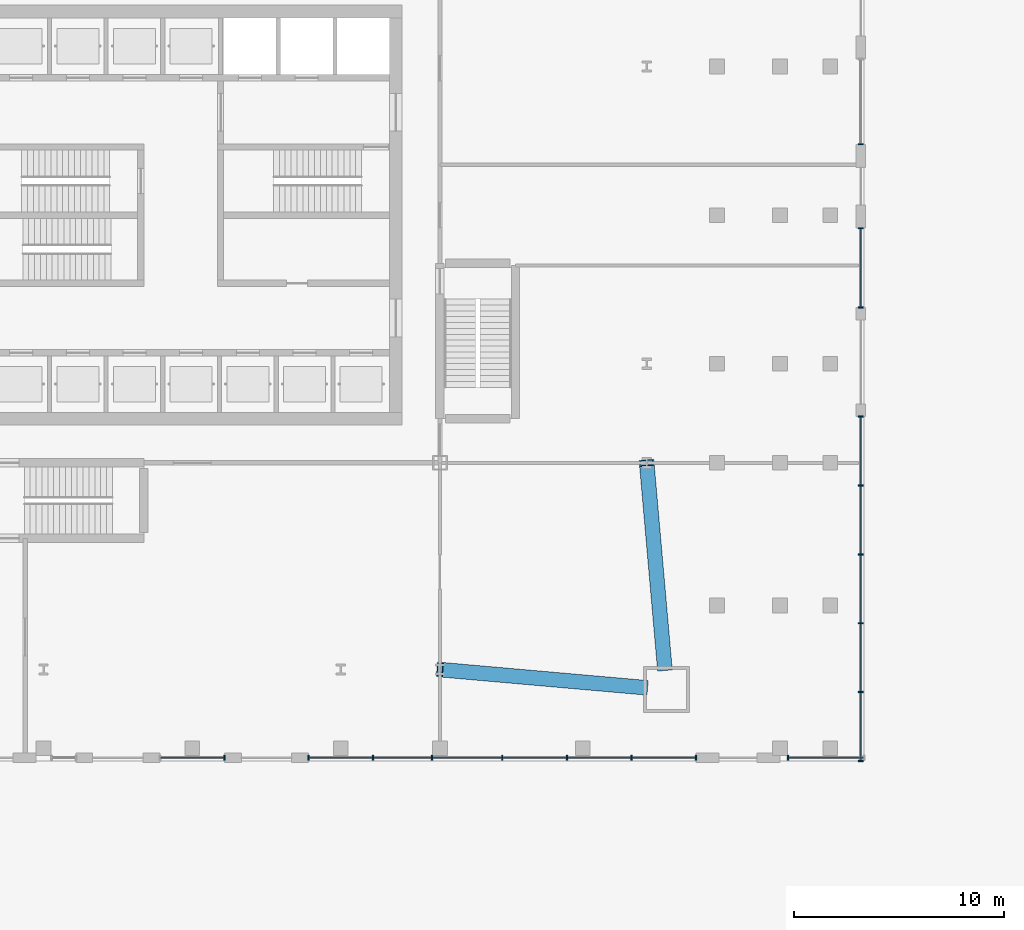
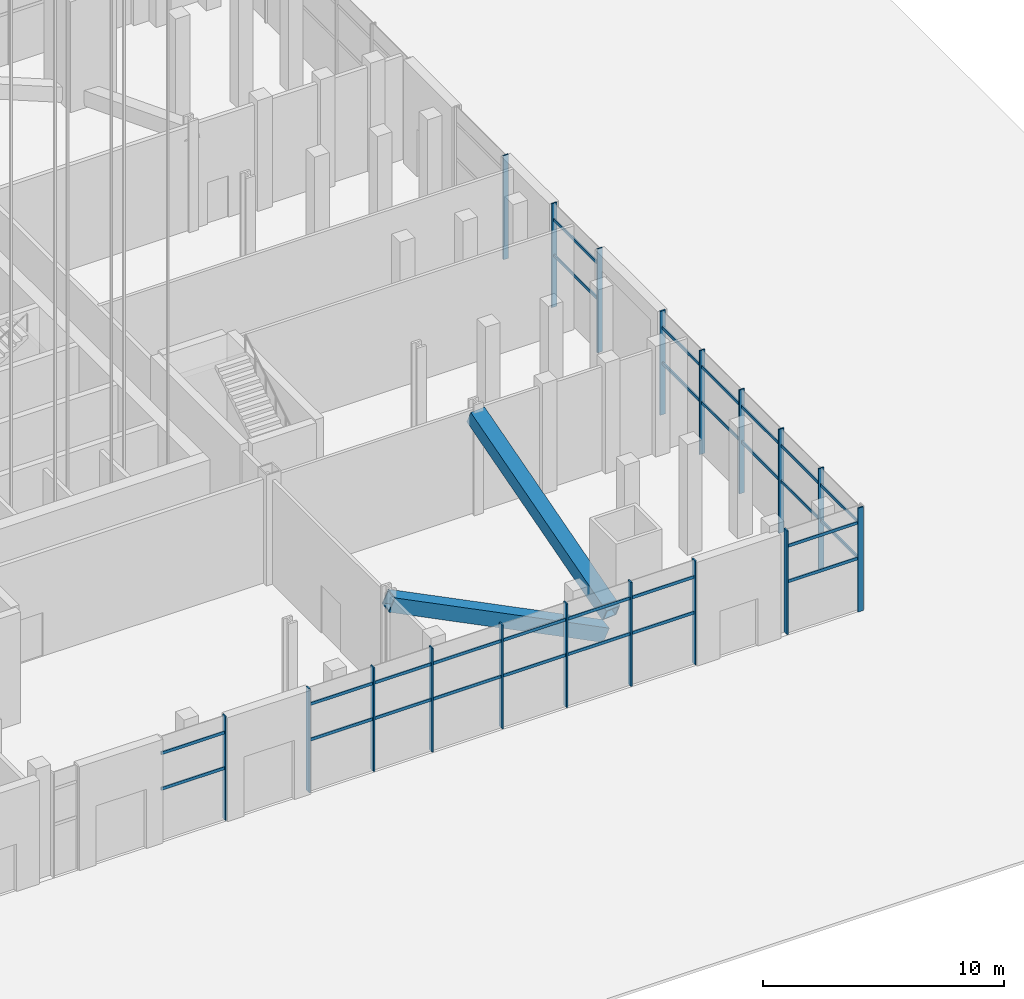
# One storey, part 3 of 27: 48 members, 6 elements without a shape of their own.
"""IFC4 building model written with IfcOpenShell, lengths in metres."""

from ifc_helpers import new_model, si_unit, direction, frame, origin, origin_2d, place, context, subcontext, project, spatial, rectangle, hollow_rectangle, extrude, material, material_profile, profile_set, type_object, element, aggregate, save


model = new_model("IFC4")

# Units and contexts
model_context = context("Model", 3, precision=1e-05, world=origin(), true_north=direction((0.0, 1.0)))
body_context = subcontext(model_context, "Body", "Model", "MODEL_VIEW")
ifc_project = project(units=[si_unit("LENGTHUNIT", "METRE"), si_unit("AREAUNIT", "SQUARE_METRE"), si_unit("VOLUMEUNIT", "CUBIC_METRE"), si_unit("PLANEANGLEUNIT", "RADIAN"), si_unit("MASSUNIT", "GRAM", prefix="KILO")], contexts=[model_context])

# Site, building, storey
site_placement = place(None, origin())
site = spatial("IfcSite", under=ifc_project, at=site_placement, CompositionType="ELEMENT")
building_placement = place(site_placement, origin())
building = spatial("IfcBuilding", under=site, at=building_placement, Name="Turquesa Mirador Hotel Tower", CompositionType="ELEMENT")
storey_placement = place(building_placement, origin())
storey = spatial("IfcBuildingStorey", under=building, at=storey_placement, Name="L00", CompositionType="ELEMENT", Elevation=0.0)

# Curtain wall, member
ifc_material_1 = material(Name="Aluminium extrusion", Category="aluminium")
curtain_wall_type = type_object("IfcCurtainWallType", Name="CW-1 LOBBY CURTAIN WALL", PredefinedType="USERDEFINED", material=ifc_material_1)
curtain_wall_1_placement = place(storey_placement, origin())
curtain_wall_1 = element("IfcCurtainWall", 1, at=curtain_wall_1_placement, inside=storey, type_object=curtain_wall_type, Name="CW-1 LOBBY CURTAIN WALL L00", ObjectType="CURTAIN WALL", PredefinedType="USERDEFINED")
ifc_material_2 = material(Name="Aluminium extrusion", Category="aluminium")
ifc_material_profile_1 = material_profile(ifc_material_2, rectangle(XDim=0.06494140625, YDim=0.25, at=origin_2d()), Name="MULLION 65X250")
ifc_profile_set_1 = profile_set([ifc_material_profile_1], Name="Aluminium extrusion")
member_type_1 = type_object("IfcMemberType", Name="CW MULLION 65X250", PredefinedType="MULLION", material=ifc_profile_set_1)
member_1_placement = place(storey_placement, frame((56.5400390625, 19.14990234375, 0.0), z_axis=(0.0, 0.0, 1.0), x_axis=(1.0, 0.0, 0.0)))
member_1 = element("IfcMember", 2, at=member_1_placement, type_object=member_type_1, Name="Mullion", PredefinedType="MULLION", context=body_context, shape_type="SweptSolid", body=[
    extrude(rectangle(XDim=0.06494140625, YDim=0.25, at=origin_2d()), origin(), (0.0, 0.0, 1.0), 5.25),
])

# Curtain wall, members
curtain_wall_2_placement = place(storey_placement, origin())
curtain_wall_2 = element("IfcCurtainWall", 3, at=curtain_wall_2_placement, inside=storey, type_object=curtain_wall_type, Name="CW-1 LOBBY CURTAIN WALL L00", ObjectType="CURTAIN WALL", PredefinedType="USERDEFINED")
member_2_placement = place(storey_placement, frame((60.5400390625, 19.14990234375, 0.0), z_axis=(0.0, 0.0, 1.0), x_axis=(1.0, 0.0, 0.0)))
member_2 = element("IfcMember", 4, at=member_2_placement, type_object=member_type_1, Name="Mullion", PredefinedType="MULLION", context=body_context, shape_type="SweptSolid", body=[
    extrude(rectangle(XDim=0.06494140625, YDim=0.25, at=origin_2d()), origin(), (0.0, 0.0, 1.0), 5.25),
])
member_3_placement = place(storey_placement, frame((63.61669921875, 19.14990234375, 0.0), z_axis=(0.0, 0.0, 1.0), x_axis=(1.0, 0.0, 0.0)))
member_3 = element("IfcMember", 5, at=member_3_placement, type_object=member_type_1, Name="Mullion", PredefinedType="MULLION", context=body_context, shape_type="SweptSolid", body=[
    extrude(rectangle(XDim=0.06494140625, YDim=0.25, at=origin_2d()), origin(), (0.0, 0.0, 1.0), 5.25),
])
member_4_placement = place(storey_placement, frame((66.41552734375, 19.14990234375, 0.0), z_axis=(0.0, 0.0, 1.0), x_axis=(1.0, 0.0, 0.0)))
member_4 = element("IfcMember", 6, at=member_4_placement, type_object=member_type_1, Name="Mullion", PredefinedType="MULLION", context=body_context, shape_type="SweptSolid", body=[
    extrude(rectangle(XDim=0.06494140625, YDim=0.25, at=origin_2d()), origin(), (0.0, 0.0, 1.0), 5.25),
])
member_5_placement = place(storey_placement, frame((69.77001953125, 19.14990234375, 0.0), z_axis=(0.0, 0.0, 1.0), x_axis=(1.0, 0.0, 0.0)))
member_5 = element("IfcMember", 7, at=member_5_placement, type_object=member_type_1, Name="Mullion", PredefinedType="MULLION", context=body_context, shape_type="SweptSolid", body=[
    extrude(rectangle(XDim=0.06494140625, YDim=0.25, at=origin_2d()), origin(), (0.0, 0.0, 1.0), 5.25),
])
member_6_placement = place(storey_placement, frame((72.8466796875, 19.14990234375, 0.0), z_axis=(0.0, 0.0, 1.0), x_axis=(1.0, 0.0, 0.0)))
member_6 = element("IfcMember", 8, at=member_6_placement, type_object=member_type_1, Name="Mullion", PredefinedType="MULLION", context=body_context, shape_type="SweptSolid", body=[
    extrude(rectangle(XDim=0.06494140625, YDim=0.25, at=origin_2d()), origin(), (0.0, 0.0, 1.0), 5.25),
])
member_7_placement = place(storey_placement, frame((75.92333984375, 19.14990234375, 0.0), z_axis=(0.0, 0.0, 1.0), x_axis=(1.0, 0.0, 0.0)))
member_7 = element("IfcMember", 9, at=member_7_placement, type_object=member_type_1, Name="Mullion", PredefinedType="MULLION", context=body_context, shape_type="SweptSolid", body=[
    extrude(rectangle(XDim=0.06494140625, YDim=0.25, at=origin_2d()), origin(), (0.0, 0.0, 1.0), 5.25),
])
member_8_placement = place(storey_placement, frame((79.0, 19.14990234375, 0.0), z_axis=(0.0, 0.0, 1.0), x_axis=(1.0, 0.0, 0.0)))
member_8 = element("IfcMember", 10, at=member_8_placement, type_object=member_type_1, Name="Mullion", PredefinedType="MULLION", context=body_context, shape_type="SweptSolid", body=[
    extrude(rectangle(XDim=0.06494140625, YDim=0.25, at=origin_2d()), origin(), (0.0, 0.0, 1.0), 5.25),
])

# Curtain wall, member
curtain_wall_3_placement = place(storey_placement, origin())
curtain_wall_3 = element("IfcCurtainWall", 11, at=curtain_wall_3_placement, inside=storey, type_object=curtain_wall_type, Name="CW-1 LOBBY CURTAIN WALL L00", ObjectType="CURTAIN WALL", PredefinedType="USERDEFINED")
member_9_placement = place(storey_placement, frame((83.384521484375, 19.14990234375, 0.0), z_axis=(0.0, 0.0, 1.0), x_axis=(1.0, 0.0, 0.0)))
member_9 = element("IfcMember", 12, at=member_9_placement, type_object=member_type_1, Name="Mullion", PredefinedType="MULLION", context=body_context, shape_type="SweptSolid", body=[
    extrude(rectangle(XDim=0.06494140625, YDim=0.25, at=origin_2d()), origin(), (0.0, 0.0, 1.0), 5.25),
])

# Curtain wall, members
curtain_wall_4_placement = place(storey_placement, origin())
curtain_wall_4 = element("IfcCurtainWall", 13, at=curtain_wall_4_placement, inside=storey, type_object=curtain_wall_type, Name="CW-1 LOBBY CURTAIN WALL L00", ObjectType="CURTAIN WALL", PredefinedType="USERDEFINED")
member_10_placement = place(storey_placement, frame((86.85009765625, 19.0, 0.0), z_axis=(0.0, 0.0, 1.0), x_axis=(0.0, 1.0, 0.0)))
member_10 = element("IfcMember", 14, at=member_10_placement, type_object=member_type_1, Name="Mullion", PredefinedType="MULLION", context=body_context, shape_type="SweptSolid", body=[
    extrude(rectangle(XDim=0.06494140625, YDim=0.25, at=origin_2d()), origin(), (0.0, 0.0, 1.0), 5.25),
])
member_11_placement = place(storey_placement, frame((86.85009765625, 22.280029296875, 0.0), z_axis=(0.0, 0.0, 1.0), x_axis=(0.0, 1.0, 0.0)))
member_11 = element("IfcMember", 15, at=member_11_placement, type_object=member_type_1, Name="Mullion", PredefinedType="MULLION", context=body_context, shape_type="SweptSolid", body=[
    extrude(rectangle(XDim=0.06494140625, YDim=0.25, at=origin_2d()), origin(), (0.0, 0.0, 1.0), 5.25),
])
member_12_placement = place(storey_placement, frame((86.85009765625, 25.56005859375, 0.0), z_axis=(0.0, 0.0, 1.0), x_axis=(0.0, 1.0, 0.0)))
member_12 = element("IfcMember", 16, at=member_12_placement, type_object=member_type_1, Name="Mullion", PredefinedType="MULLION", context=body_context, shape_type="SweptSolid", body=[
    extrude(rectangle(XDim=0.06494140625, YDim=0.25, at=origin_2d()), origin(), (0.0, 0.0, 1.0), 5.25),
])
member_13_placement = place(storey_placement, frame((86.85009765625, 28.840087890625, 0.0), z_axis=(0.0, 0.0, 1.0), x_axis=(0.0, 1.0, 0.0)))
member_13 = element("IfcMember", 17, at=member_13_placement, type_object=member_type_1, Name="Mullion", PredefinedType="MULLION", context=body_context, shape_type="SweptSolid", body=[
    extrude(rectangle(XDim=0.06494140625, YDim=0.25, at=origin_2d()), origin(), (0.0, 0.0, 1.0), 5.25),
])
member_14_placement = place(storey_placement, frame((86.85009765625, 32.1201171875, 0.0), z_axis=(0.0, 0.0, 1.0), x_axis=(0.0, 1.0, 0.0)))
member_14 = element("IfcMember", 18, at=member_14_placement, type_object=member_type_1, Name="Mullion", PredefinedType="MULLION", context=body_context, shape_type="SweptSolid", body=[
    extrude(rectangle(XDim=0.06494140625, YDim=0.25, at=origin_2d()), origin(), (0.0, 0.0, 1.0), 5.25),
])
member_15_placement = place(storey_placement, frame((86.85009765625, 35.39990234375, 0.0), z_axis=(0.0, 0.0, 1.0), x_axis=(0.0, 1.0, 0.0)))
member_15 = element("IfcMember", 19, at=member_15_placement, type_object=member_type_1, Name="Mullion", PredefinedType="MULLION", context=body_context, shape_type="SweptSolid", body=[
    extrude(rectangle(XDim=0.06494140625, YDim=0.25, at=origin_2d()), origin(), (0.0, 0.0, 1.0), 5.25),
])

curtain_wall_5_placement = place(storey_placement, origin())
curtain_wall_5 = element("IfcCurtainWall", 20, at=curtain_wall_5_placement, inside=storey, type_object=curtain_wall_type, Name="CW-1 LOBBY CURTAIN WALL L00", ObjectType="CURTAIN WALL", PredefinedType="USERDEFINED")
member_16_placement = place(storey_placement, frame((86.85009765625, 40.60009765625, 0.0), z_axis=(0.0, 0.0, 1.0), x_axis=(0.0, 1.0, 0.0)))
member_16 = element("IfcMember", 21, at=member_16_placement, type_object=member_type_1, Name="Mullion", PredefinedType="MULLION", context=body_context, shape_type="SweptSolid", body=[
    extrude(rectangle(XDim=0.06494140625, YDim=0.25, at=origin_2d()), origin(), (0.0, 0.0, 1.0), 5.25),
])
member_17_placement = place(storey_placement, frame((86.85009765625, 44.375, 0.0), z_axis=(0.0, 0.0, 1.0), x_axis=(0.0, 1.0, 0.0)))
member_17 = element("IfcMember", 22, at=member_17_placement, type_object=member_type_1, Name="Mullion", PredefinedType="MULLION", context=body_context, shape_type="SweptSolid", body=[
    extrude(rectangle(XDim=0.06494140625, YDim=0.25, at=origin_2d()), origin(), (0.0, 0.0, 1.0), 5.25),
])

# Curtain wall, member
curtain_wall_6_placement = place(storey_placement, origin())
curtain_wall_6 = element("IfcCurtainWall", 23, at=curtain_wall_6_placement, inside=storey, type_object=curtain_wall_type, Name="CW-1 LOBBY CURTAIN WALL L00", ObjectType="CURTAIN WALL", PredefinedType="USERDEFINED")
member_18_placement = place(storey_placement, frame((86.85009765625, 48.375, 0.0), z_axis=(0.0, 0.0, 1.0), x_axis=(0.0, 1.0, 0.0)))
member_18 = element("IfcMember", 24, at=member_18_placement, type_object=member_type_1, Name="Mullion", PredefinedType="MULLION", context=body_context, shape_type="SweptSolid", body=[
    extrude(rectangle(XDim=0.06494140625, YDim=0.25, at=origin_2d()), origin(), (0.0, 0.0, 1.0), 5.25),
])
aggregate(curtain_wall_6, [member_18])

# Member
ifc_material_3 = material(Name="Aluminium extrusion", Category="aluminium")
ifc_material_profile_2 = material_profile(ifc_material_3, rectangle(XDim=0.06494140625, YDim=0.14990234375, at=origin_2d()), Name="TRANSOM 65X150")
ifc_profile_set_2 = profile_set([ifc_material_profile_2], Name="Aluminium extrusion")
member_type_2 = type_object("IfcMemberType", Name="CW TRANSOM 65X150", PredefinedType="USERDEFINED", material=ifc_profile_set_2)
member_19_placement = place(storey_placement, frame((53.492431640625, 19.14990234375, 2.60009765625), z_axis=(1.0, 0.0, 0.0), x_axis=(0.0, 1.0, 0.0)))
member_19 = element("IfcMember", 25, at=member_19_placement, type_object=member_type_2, Name="Transom", ObjectType="TRANSOM", PredefinedType="USERDEFINED", context=body_context, shape_type="SweptSolid", body=[
    extrude(rectangle(XDim=0.06494140625, YDim=0.14990234375, at=origin_2d()), origin(), (0.0, 0.0, 1.0), 3.01513671875),
])

member_20_placement = place(storey_placement, frame((53.492431640625, 19.14990234375, 4.39990234375), z_axis=(1.0, 0.0, 0.0), x_axis=(0.0, 1.0, 0.0)))
member_20 = element("IfcMember", 26, at=member_20_placement, type_object=member_type_2, Name="Transom", ObjectType="TRANSOM", PredefinedType="USERDEFINED", context=body_context, shape_type="SweptSolid", body=[
    extrude(rectangle(XDim=0.06494140625, YDim=0.14990234375, at=origin_2d()), origin(), (0.0, 0.0, 1.0), 3.01513671875),
])

aggregate(curtain_wall_1, [member_1, member_19, member_20])

member_21_placement = place(storey_placement, frame((60.572509765625, 19.14990234375, 2.60009765625), z_axis=(1.0, 0.0, 0.0), x_axis=(0.0, 1.0, 0.0)))
member_21 = element("IfcMember", 27, at=member_21_placement, type_object=member_type_2, Name="Transom", ObjectType="TRANSOM", PredefinedType="USERDEFINED", context=body_context, shape_type="SweptSolid", body=[
    extrude(rectangle(XDim=0.06494140625, YDim=0.14990234375, at=origin_2d()), origin(), (0.0, 0.0, 1.0), 3.01171875),
])

member_22_placement = place(storey_placement, frame((60.572509765625, 19.14990234375, 4.39990234375), z_axis=(1.0, 0.0, 0.0), x_axis=(0.0, 1.0, 0.0)))
member_22 = element("IfcMember", 28, at=member_22_placement, type_object=member_type_2, Name="Transom", ObjectType="TRANSOM", PredefinedType="USERDEFINED", context=body_context, shape_type="SweptSolid", body=[
    extrude(rectangle(XDim=0.06494140625, YDim=0.14990234375, at=origin_2d()), origin(), (0.0, 0.0, 1.0), 3.01171875),
])

member_23_placement = place(storey_placement, frame((63.649169921875, 19.14990234375, 2.60009765625), z_axis=(1.0, 0.0, 0.0), x_axis=(0.0, 1.0, 0.0)))
member_23 = element("IfcMember", 29, at=member_23_placement, type_object=member_type_2, Name="Transom", ObjectType="TRANSOM", PredefinedType="USERDEFINED", context=body_context, shape_type="SweptSolid", body=[
    extrude(rectangle(XDim=0.06494140625, YDim=0.14990234375, at=origin_2d()), origin(), (0.0, 0.0, 1.0), 2.73388671875),
])

member_24_placement = place(storey_placement, frame((63.649169921875, 19.14990234375, 4.39990234375), z_axis=(1.0, 0.0, 0.0), x_axis=(0.0, 1.0, 0.0)))
member_24 = element("IfcMember", 30, at=member_24_placement, type_object=member_type_2, Name="Transom", ObjectType="TRANSOM", PredefinedType="USERDEFINED", context=body_context, shape_type="SweptSolid", body=[
    extrude(rectangle(XDim=0.06494140625, YDim=0.14990234375, at=origin_2d()), origin(), (0.0, 0.0, 1.0), 2.73388671875),
])

member_25_placement = place(storey_placement, frame((66.447998046875, 19.14990234375, 2.60009765625), z_axis=(1.0, 0.0, 0.0), x_axis=(0.0, 1.0, 0.0)))
member_25 = element("IfcMember", 31, at=member_25_placement, type_object=member_type_2, Name="Transom", ObjectType="TRANSOM", PredefinedType="USERDEFINED", context=body_context, shape_type="SweptSolid", body=[
    extrude(rectangle(XDim=0.06494140625, YDim=0.14990234375, at=origin_2d()), origin(), (0.0, 0.0, 1.0), 3.28955078125),
])

member_26_placement = place(storey_placement, frame((66.447998046875, 19.14990234375, 4.39990234375), z_axis=(1.0, 0.0, 0.0), x_axis=(0.0, 1.0, 0.0)))
member_26 = element("IfcMember", 32, at=member_26_placement, type_object=member_type_2, Name="Transom", ObjectType="TRANSOM", PredefinedType="USERDEFINED", context=body_context, shape_type="SweptSolid", body=[
    extrude(rectangle(XDim=0.06494140625, YDim=0.14990234375, at=origin_2d()), origin(), (0.0, 0.0, 1.0), 3.28955078125),
])

member_27_placement = place(storey_placement, frame((69.802490234375, 19.14990234375, 2.60009765625), z_axis=(1.0, 0.0, 0.0), x_axis=(0.0, 1.0, 0.0)))
member_27 = element("IfcMember", 33, at=member_27_placement, type_object=member_type_2, Name="Transom", ObjectType="TRANSOM", PredefinedType="USERDEFINED", context=body_context, shape_type="SweptSolid", body=[
    extrude(rectangle(XDim=0.06494140625, YDim=0.14990234375, at=origin_2d()), origin(), (0.0, 0.0, 1.0), 3.01171875),
])

member_28_placement = place(storey_placement, frame((69.802490234375, 19.14990234375, 4.39990234375), z_axis=(1.0, 0.0, 0.0), x_axis=(0.0, 1.0, 0.0)))
member_28 = element("IfcMember", 34, at=member_28_placement, type_object=member_type_2, Name="Transom", ObjectType="TRANSOM", PredefinedType="USERDEFINED", context=body_context, shape_type="SweptSolid", body=[
    extrude(rectangle(XDim=0.06494140625, YDim=0.14990234375, at=origin_2d()), origin(), (0.0, 0.0, 1.0), 3.01171875),
])

member_29_placement = place(storey_placement, frame((72.879150390625, 19.14990234375, 2.60009765625), z_axis=(1.0, 0.0, 0.0), x_axis=(0.0, 1.0, 0.0)))
member_29 = element("IfcMember", 35, at=member_29_placement, type_object=member_type_2, Name="Transom", ObjectType="TRANSOM", PredefinedType="USERDEFINED", context=body_context, shape_type="SweptSolid", body=[
    extrude(rectangle(XDim=0.06494140625, YDim=0.14990234375, at=origin_2d()), origin(), (0.0, 0.0, 1.0), 3.01171875),
])

member_30_placement = place(storey_placement, frame((72.879150390625, 19.14990234375, 4.39990234375), z_axis=(1.0, 0.0, 0.0), x_axis=(0.0, 1.0, 0.0)))
member_30 = element("IfcMember", 36, at=member_30_placement, type_object=member_type_2, Name="Transom", ObjectType="TRANSOM", PredefinedType="USERDEFINED", context=body_context, shape_type="SweptSolid", body=[
    extrude(rectangle(XDim=0.06494140625, YDim=0.14990234375, at=origin_2d()), origin(), (0.0, 0.0, 1.0), 3.01171875),
])

member_31_placement = place(storey_placement, frame((75.955810546875, 19.14990234375, 2.60009765625), z_axis=(1.0, 0.0, 0.0), x_axis=(0.0, 1.0, 0.0)))
member_31 = element("IfcMember", 37, at=member_31_placement, type_object=member_type_2, Name="Transom", ObjectType="TRANSOM", PredefinedType="USERDEFINED", context=body_context, shape_type="SweptSolid", body=[
    extrude(rectangle(XDim=0.06494140625, YDim=0.14990234375, at=origin_2d()), origin(), (0.0, 0.0, 1.0), 3.01171875),
])

member_32_placement = place(storey_placement, frame((75.955810546875, 19.14990234375, 4.39990234375), z_axis=(1.0, 0.0, 0.0), x_axis=(0.0, 1.0, 0.0)))
member_32 = element("IfcMember", 38, at=member_32_placement, type_object=member_type_2, Name="Transom", ObjectType="TRANSOM", PredefinedType="USERDEFINED", context=body_context, shape_type="SweptSolid", body=[
    extrude(rectangle(XDim=0.06494140625, YDim=0.14990234375, at=origin_2d()), origin(), (0.0, 0.0, 1.0), 3.01171875),
])

aggregate(curtain_wall_2, [member_2, member_3, member_4, member_5, member_6, member_7, member_8, member_21, member_22, member_23, member_24, member_25, member_26, member_27, member_28, member_29, member_30, member_31, member_32])

member_33_placement = place(storey_placement, frame((83.4169921875, 19.14990234375, 2.60009765625), z_axis=(1.0, 0.0, 0.0), x_axis=(0.0, 1.0, 0.0)))
member_33 = element("IfcMember", 39, at=member_33_placement, type_object=member_type_2, Name="Transom", ObjectType="TRANSOM", PredefinedType="USERDEFINED", context=body_context, shape_type="SweptSolid", body=[
    extrude(rectangle(XDim=0.06494140625, YDim=0.14990234375, at=origin_2d()), origin(), (0.0, 0.0, 1.0), 3.550537109375),
])

member_34_placement = place(storey_placement, frame((83.4169921875, 19.14990234375, 4.39990234375), z_axis=(1.0, 0.0, 0.0), x_axis=(0.0, 1.0, 0.0)))
member_34 = element("IfcMember", 40, at=member_34_placement, type_object=member_type_2, Name="Transom", ObjectType="TRANSOM", PredefinedType="USERDEFINED", context=body_context, shape_type="SweptSolid", body=[
    extrude(rectangle(XDim=0.06494140625, YDim=0.14990234375, at=origin_2d()), origin(), (0.0, 0.0, 1.0), 3.550537109375),
])

aggregate(curtain_wall_3, [member_9, member_33, member_34])

member_35_placement = place(storey_placement, frame((86.85009765625, 19.032470703125, 2.60009765625), z_axis=(0.0, 1.0, 0.0), x_axis=(-1.0, 0.0, 0.0)))
member_35 = element("IfcMember", 41, at=member_35_placement, type_object=member_type_2, Name="Transom", ObjectType="TRANSOM", PredefinedType="USERDEFINED", context=body_context, shape_type="SweptSolid", body=[
    extrude(rectangle(XDim=0.06494140625, YDim=0.14990234375, at=origin_2d()), origin(), (0.0, 0.0, 1.0), 3.215087890625),
])

member_36_placement = place(storey_placement, frame((86.85009765625, 19.032470703125, 4.39990234375), z_axis=(0.0, 1.0, 0.0), x_axis=(-1.0, 0.0, 0.0)))
member_36 = element("IfcMember", 42, at=member_36_placement, type_object=member_type_2, Name="Transom", ObjectType="TRANSOM", PredefinedType="USERDEFINED", context=body_context, shape_type="SweptSolid", body=[
    extrude(rectangle(XDim=0.06494140625, YDim=0.14990234375, at=origin_2d()), origin(), (0.0, 0.0, 1.0), 3.215087890625),
])

member_37_placement = place(storey_placement, frame((86.85009765625, 22.3125, 2.60009765625), z_axis=(0.0, 1.0, 0.0), x_axis=(-1.0, 0.0, 0.0)))
member_37 = element("IfcMember", 43, at=member_37_placement, type_object=member_type_2, Name="Transom", ObjectType="TRANSOM", PredefinedType="USERDEFINED", context=body_context, shape_type="SweptSolid", body=[
    extrude(rectangle(XDim=0.06494140625, YDim=0.14990234375, at=origin_2d()), origin(), (0.0, 0.0, 1.0), 3.215087890625),
])

member_38_placement = place(storey_placement, frame((86.85009765625, 22.3125, 4.39990234375), z_axis=(0.0, 1.0, 0.0), x_axis=(-1.0, 0.0, 0.0)))
member_38 = element("IfcMember", 44, at=member_38_placement, type_object=member_type_2, Name="Transom", ObjectType="TRANSOM", PredefinedType="USERDEFINED", context=body_context, shape_type="SweptSolid", body=[
    extrude(rectangle(XDim=0.06494140625, YDim=0.14990234375, at=origin_2d()), origin(), (0.0, 0.0, 1.0), 3.215087890625),
])

member_39_placement = place(storey_placement, frame((86.85009765625, 25.592529296875, 2.60009765625), z_axis=(0.0, 1.0, 0.0), x_axis=(-1.0, 0.0, 0.0)))
member_39 = element("IfcMember", 45, at=member_39_placement, type_object=member_type_2, Name="Transom", ObjectType="TRANSOM", PredefinedType="USERDEFINED", context=body_context, shape_type="SweptSolid", body=[
    extrude(rectangle(XDim=0.06494140625, YDim=0.14990234375, at=origin_2d()), origin(), (0.0, 0.0, 1.0), 3.215087890625),
])

member_40_placement = place(storey_placement, frame((86.85009765625, 25.592529296875, 4.39990234375), z_axis=(0.0, 1.0, 0.0), x_axis=(-1.0, 0.0, 0.0)))
member_40 = element("IfcMember", 46, at=member_40_placement, type_object=member_type_2, Name="Transom", ObjectType="TRANSOM", PredefinedType="USERDEFINED", context=body_context, shape_type="SweptSolid", body=[
    extrude(rectangle(XDim=0.06494140625, YDim=0.14990234375, at=origin_2d()), origin(), (0.0, 0.0, 1.0), 3.215087890625),
])

member_41_placement = place(storey_placement, frame((86.85009765625, 28.87255859375, 2.60009765625), z_axis=(0.0, 1.0, 0.0), x_axis=(-1.0, 0.0, 0.0)))
member_41 = element("IfcMember", 47, at=member_41_placement, type_object=member_type_2, Name="Transom", ObjectType="TRANSOM", PredefinedType="USERDEFINED", context=body_context, shape_type="SweptSolid", body=[
    extrude(rectangle(XDim=0.06494140625, YDim=0.14990234375, at=origin_2d()), origin(), (0.0, 0.0, 1.0), 3.21484375),
])

member_42_placement = place(storey_placement, frame((86.85009765625, 28.87255859375, 4.39990234375), z_axis=(0.0, 1.0, 0.0), x_axis=(-1.0, 0.0, 0.0)))
member_42 = element("IfcMember", 48, at=member_42_placement, type_object=member_type_2, Name="Transom", ObjectType="TRANSOM", PredefinedType="USERDEFINED", context=body_context, shape_type="SweptSolid", body=[
    extrude(rectangle(XDim=0.06494140625, YDim=0.14990234375, at=origin_2d()), origin(), (0.0, 0.0, 1.0), 3.21484375),
])

member_43_placement = place(storey_placement, frame((86.85009765625, 32.152587890625, 2.60009765625), z_axis=(0.0, 1.0, 0.0), x_axis=(-1.0, 0.0, 0.0)))
member_43 = element("IfcMember", 49, at=member_43_placement, type_object=member_type_2, Name="Transom", ObjectType="TRANSOM", PredefinedType="USERDEFINED", context=body_context, shape_type="SweptSolid", body=[
    extrude(rectangle(XDim=0.06494140625, YDim=0.14990234375, at=origin_2d()), origin(), (0.0, 0.0, 1.0), 3.21484375),
])

member_44_placement = place(storey_placement, frame((86.85009765625, 32.152587890625, 4.39990234375), z_axis=(0.0, 1.0, 0.0), x_axis=(-1.0, 0.0, 0.0)))
member_44 = element("IfcMember", 50, at=member_44_placement, type_object=member_type_2, Name="Transom", ObjectType="TRANSOM", PredefinedType="USERDEFINED", context=body_context, shape_type="SweptSolid", body=[
    extrude(rectangle(XDim=0.06494140625, YDim=0.14990234375, at=origin_2d()), origin(), (0.0, 0.0, 1.0), 3.21484375),
])

aggregate(curtain_wall_4, [member_10, member_11, member_12, member_13, member_14, member_15, member_35, member_36, member_37, member_38, member_39, member_40, member_41, member_42, member_43, member_44])

member_45_placement = place(storey_placement, frame((86.85009765625, 40.632568359375, 2.60009765625), z_axis=(0.0, 1.0, 0.0), x_axis=(-1.0, 0.0, 0.0)))
member_45 = element("IfcMember", 51, at=member_45_placement, type_object=member_type_2, Name="Transom", ObjectType="TRANSOM", PredefinedType="USERDEFINED", context=body_context, shape_type="SweptSolid", body=[
    extrude(rectangle(XDim=0.06494140625, YDim=0.14990234375, at=origin_2d()), origin(), (0.0, 0.0, 1.0), 3.7099609375),
])

member_46_placement = place(storey_placement, frame((86.85009765625, 40.632568359375, 4.39990234375), z_axis=(0.0, 1.0, 0.0), x_axis=(-1.0, 0.0, 0.0)))
member_46 = element("IfcMember", 52, at=member_46_placement, type_object=member_type_2, Name="Transom", ObjectType="TRANSOM", PredefinedType="USERDEFINED", context=body_context, shape_type="SweptSolid", body=[
    extrude(rectangle(XDim=0.06494140625, YDim=0.14990234375, at=origin_2d()), origin(), (0.0, 0.0, 1.0), 3.7099609375),
])

aggregate(curtain_wall_5, [member_16, member_17, member_45, member_46])

# Members
ifc_material_4 = material(Name="Steel ASTM A572 Grade 50", Category="steel")
ifc_material_profile_3 = material_profile(ifc_material_4, hollow_rectangle(XDim=0.699951171875, YDim=0.699951171875, WallThickness=0.06005859375, at=origin_2d()), Name="BOX700X700X60")
ifc_profile_set_3 = profile_set([ifc_material_profile_3], Name="Steel ASTM A572 Grade 50")
member_type_3 = type_object("IfcMemberType", Name="PODIUM BRACE BOX700X700X60", PredefinedType="BRACE", material=ifc_profile_set_3)
for number, where, z_axis, x_axis, name in (
    (53, (76.550048828125, 22.492431640625, 0.476318359375), (-0.907748098081, 0.079850737895, 0.411846148566), (-0.087627369437, -0.996153323603, 0.0), "Podium brace S"),
    (54, (77.507568359375, 23.449951171875, 0.476318359375), (-0.079850737895, 0.907748098081, 0.411846148566), (-0.996153323603, -0.087627369437, 0.0), "Podium brace E"),
):
    element("IfcMember", number, at=place(storey_placement, frame(where, z_axis=z_axis, x_axis=x_axis)), inside=storey, type_object=member_type_3, Name=name, PredefinedType="BRACE", context=body_context, shape_type="SweptSolid", body=[
        extrude(hollow_rectangle(XDim=0.699951171875, YDim=0.699951171875, WallThickness=0.06005859375, at=origin_2d()), origin(), (0.0, 0.0, 1.0), 10.740966796875),
    ])

save(model, "model.ifc")
